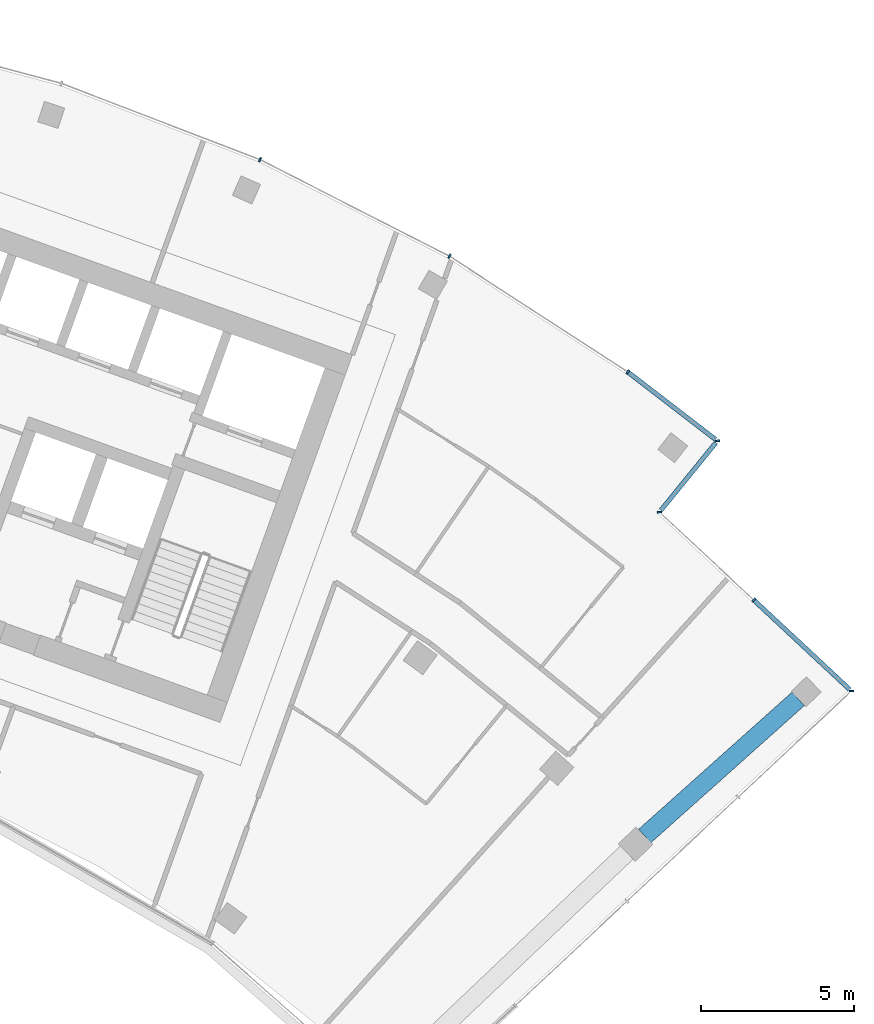
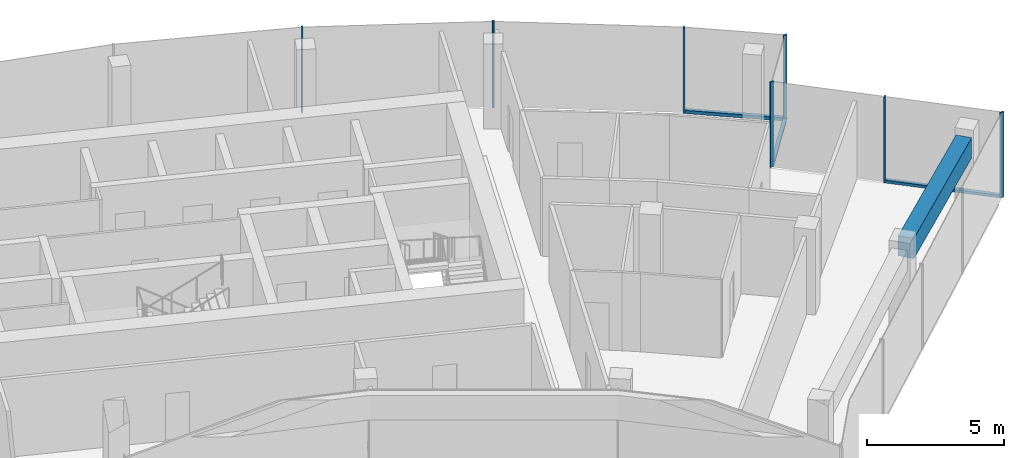
# One storey, part 9 of 18: 10 members, 1 beam, 3 elements without a shape of their own.
"""IFC4 building model written with IfcOpenShell, lengths in metres."""

from ifc_helpers import new_model, si_unit, direction, frame, origin, origin_2d, place, context, subcontext, project, spatial, rectangle, extrude, material, layer, layer_set, material_profile, profile_set, type_object, element, aggregate, save


model = new_model("IFC4")

# Units and contexts
model_context = context("Model", 3, precision=1e-05, world=origin(), true_north=direction((0.0, 1.0)))
body_context = subcontext(model_context, "Body", "Model", "MODEL_VIEW")
ifc_project = project(units=[si_unit("LENGTHUNIT", "METRE"), si_unit("AREAUNIT", "SQUARE_METRE"), si_unit("VOLUMEUNIT", "CUBIC_METRE"), si_unit("PLANEANGLEUNIT", "RADIAN"), si_unit("MASSUNIT", "GRAM", prefix="KILO")], contexts=[model_context])

# Site, building, storey
site_placement = place(None, origin())
site = spatial("IfcSite", under=ifc_project, at=site_placement, CompositionType="ELEMENT")
building_placement = place(site_placement, origin())
building = spatial("IfcBuilding", under=site, at=building_placement, Name="Stone Belt Terrace Tower", CompositionType="ELEMENT")
storey_placement = place(building_placement, frame((0.0, 0.0, 284.60009765625)))
storey = spatial("IfcBuildingStorey", under=building, at=storey_placement, Name="L69", CompositionType="ELEMENT", Elevation=284.60009765625)

# Curtain wall, members
ifc_material_1 = material(Name="Aluminium 6063-T6 anodised frame", Category="aluminium")
ifc_layer_1 = layer(ifc_material_1, 0.14990234375)
ifc_layer_set_1 = layer_set([ifc_layer_1], Name="CW-A unitised convex-face curtain wall")
curtain_wall_type_1 = type_object("IfcCurtainWallType", Name="CW-A unitised convex-face curtain wall", PredefinedType="NOTDEFINED", material=ifc_layer_set_1)
curtain_wall_1_placement = place(storey_placement, origin())
curtain_wall_1 = element("IfcCurtainWall", 1, at=curtain_wall_1_placement, inside=storey, type_object=curtain_wall_type_1, Name="CW-A convex face L69", PredefinedType="NOTDEFINED")
ifc_material_profile_1 = material_profile(ifc_material_1, rectangle(XDim=0.14990234375, YDim=0.06005859375, at=origin_2d()), Name="Aluminium 6063-T6 60x150")
ifc_profile_set_1 = profile_set([ifc_material_profile_1], Name="Aluminium 6063-T6 anodised frame")
member_type_1 = type_object("IfcMemberType", Name="CW-A mullion 60 x 150", PredefinedType="MULLION", material=ifc_profile_set_1)
member_1_placement = place(storey_placement, frame((42.068359375, 51.60205078125, 0.0), z_axis=(0.0, 0.0, 1.0), x_axis=(-0.993258004644, -0.115924700604, 0.0)))
member_1 = element("IfcMember", 2, at=member_1_placement, type_object=member_type_1, Name="CW-A mullion 1", PredefinedType="MULLION", context=body_context, shape_type="SweptSolid", body=[
    extrude(rectangle(XDim=0.14990234375, YDim=0.06005859375, at=origin_2d()), origin(), (0.0, 0.0, 1.0), 3.7998046875),
])
member_2_placement = place(storey_placement, frame((39.131103515625, 53.86083984375, 0.0), z_axis=(0.0, 0.0, 1.0), x_axis=(-0.577587125789, -0.816329046477, 0.0)))
member_2 = element("IfcMember", 3, at=member_2_placement, type_object=member_type_1, Name="CW-A mullion 2", PredefinedType="MULLION", context=body_context, shape_type="SweptSolid", body=[
    extrude(rectangle(XDim=0.14990234375, YDim=0.06005859375, at=origin_2d()), origin(), (0.0, 0.0, 1.0), 3.7998046875),
])
member_3_placement = place(storey_placement, frame((33.28759765625, 57.65576171875, 0.0), z_axis=(0.0, 0.0, 1.0), x_axis=(-0.5, -0.866025403784, 0.0)))
member_3 = element("IfcMember", 4, at=member_3_placement, type_object=member_type_1, Name="CW-A mullion 3", PredefinedType="MULLION", context=body_context, shape_type="SweptSolid", body=[
    extrude(rectangle(XDim=0.14990234375, YDim=0.06005859375, at=origin_2d()), origin(), (0.0, 0.0, 1.0), 3.7998046875),
])
member_4_placement = place(storey_placement, frame((27.07861328125, 60.8193359375, 0.0), z_axis=(0.0, 0.0, 1.0), x_axis=(-0.406736643076, -0.913545457643, 0.0)))
member_4 = element("IfcMember", 5, at=member_4_placement, type_object=member_type_1, Name="CW-A mullion 4", PredefinedType="MULLION", context=body_context, shape_type="SweptSolid", body=[
    extrude(rectangle(XDim=0.14990234375, YDim=0.06005859375, at=origin_2d()), origin(), (0.0, 0.0, 1.0), 3.7998046875),
])
ifc_material_profile_2 = material_profile(ifc_material_1, rectangle(XDim=0.14990234375, YDim=0.139892578125, at=origin_2d()), Name="Aluminium 6063-T6 150x140")
ifc_profile_set_2 = profile_set([ifc_material_profile_2], Name="Aluminium 6063-T6 anodised frame")
member_type_2 = type_object("IfcMemberType", Name="CW-A transom 140 x 150", PredefinedType="USERDEFINED", material=ifc_profile_set_2)
member_5_placement = place(storey_placement, frame((42.00927734375, 51.6474609375, 0.06982421875), z_axis=(-0.79269461464, 0.609618936648, 0.0), x_axis=(-0.609618936648, -0.79269461464, 0.0)))
member_5 = element("IfcMember", 6, at=member_5_placement, type_object=member_type_2, Name="CW-A transom 1.1", ObjectType="TRANSOM", PredefinedType="USERDEFINED", context=body_context, shape_type="SweptSolid", body=[
    extrude(rectangle(XDim=0.14990234375, YDim=0.139892578125, at=origin_2d()), origin(), (0.0, 0.0, 1.0), 3.597900390625),
])
aggregate(curtain_wall_1, [member_1, member_2, member_3, member_4, member_5])

ifc_layer_2 = layer(ifc_material_1, 0.14990234375)
ifc_layer_set_2 = layer_set([ifc_layer_2], Name="CW-C stick curtain wall, horn ends and notches")
curtain_wall_type_2 = type_object("IfcCurtainWallType", Name="CW-C stick curtain wall, horn ends and notches", PredefinedType="NOTDEFINED", material=ifc_layer_set_2)
curtain_wall_2_placement = place(storey_placement, origin())
curtain_wall_2 = element("IfcCurtainWall", 7, at=curtain_wall_2_placement, inside=storey, type_object=curtain_wall_type_2, Name="CW-C notch face L69", PredefinedType="NOTDEFINED")
ifc_material_profile_3 = material_profile(ifc_material_1, rectangle(XDim=0.14990234375, YDim=0.06005859375, at=origin_2d()), Name="Aluminium 6063-T6 60x150")
ifc_profile_set_3 = profile_set([ifc_material_profile_3], Name="Aluminium 6063-T6 anodised frame")
member_type_3 = type_object("IfcMemberType", Name="CW-C mullion 60 x 150", PredefinedType="MULLION", material=ifc_profile_set_3)
member_6_placement = place(storey_placement, frame((46.458740234375, 43.405517578125, 0.0), z_axis=(0.0, 0.0, 1.0), x_axis=(-0.999999447771, -0.00105093149, 0.0)))
member_6 = element("IfcMember", 8, at=member_6_placement, type_object=member_type_3, Name="CW-C mullion 1", PredefinedType="MULLION", context=body_context, shape_type="SweptSolid", body=[
    extrude(rectangle(XDim=0.14990234375, YDim=0.06005859375, at=origin_2d()), origin(), (0.0, 0.0, 1.0), 3.7998046875),
])
member_7_placement = place(storey_placement, frame((43.260009765625, 46.388671875, 0.0), z_axis=(0.0, 0.0, 1.0), x_axis=(-0.682013767261, -0.731339333871, 0.0)))
member_7 = element("IfcMember", 9, at=member_7_placement, type_object=member_type_3, Name="CW-C mullion 2", PredefinedType="MULLION", context=body_context, shape_type="SweptSolid", body=[
    extrude(rectangle(XDim=0.14990234375, YDim=0.06005859375, at=origin_2d()), origin(), (0.0, 0.0, 1.0), 3.7998046875),
])

# Curtain wall, member
curtain_wall_3_placement = place(storey_placement, origin())
curtain_wall_3 = element("IfcCurtainWall", 10, at=curtain_wall_3_placement, inside=storey, type_object=curtain_wall_type_2, Name="CW-C notch face L69", PredefinedType="NOTDEFINED")
member_8_placement = place(storey_placement, frame((40.1708984375, 49.269287109375, 0.0), z_axis=(0.0, 0.0, 1.0), x_axis=(-0.997639702696, -0.068666029474, 0.0)))
member_8 = element("IfcMember", 11, at=member_8_placement, type_object=member_type_3, Name="CW-C mullion 1", PredefinedType="MULLION", context=body_context, shape_type="SweptSolid", body=[
    extrude(rectangle(XDim=0.14990234375, YDim=0.06005859375, at=origin_2d()), origin(), (0.0, 0.0, 1.0), 3.7998046875),
])

# Member
ifc_material_profile_4 = material_profile(ifc_material_1, rectangle(XDim=0.14990234375, YDim=0.1201171875, at=origin_2d()), Name="Aluminium 6063-T6 150x120")
ifc_profile_set_4 = profile_set([ifc_material_profile_4], Name="Aluminium 6063-T6 anodised frame")
member_type_4 = type_object("IfcMemberType", Name="CW-C transom 120 x 150", PredefinedType="USERDEFINED", material=ifc_profile_set_4)
member_9_placement = place(storey_placement, frame((46.40380859375, 43.456787109375, 0.059814453125), z_axis=(-0.731353784958, 0.681998270693, 0.0), x_axis=(-0.681998270693, -0.731353784958, 0.0)))
member_9 = element("IfcMember", 12, at=member_9_placement, type_object=member_type_4, Name="CW-C transom 1.1", ObjectType="TRANSOM", PredefinedType="USERDEFINED", context=body_context, shape_type="SweptSolid", body=[
    extrude(rectangle(XDim=0.14990234375, YDim=0.1201171875, at=origin_2d()), origin(), (0.0, 0.0, 1.0), 4.268798828125),
])

aggregate(curtain_wall_2, [member_6, member_7, member_9])

member_10_placement = place(storey_placement, frame((40.217041015625, 49.325927734375, 0.059814453125), z_axis=(0.631026504781, 0.775761271439, 0.0), x_axis=(-0.775761271439, 0.631026504781, 0.0)))
member_10 = element("IfcMember", 13, at=member_10_placement, type_object=member_type_4, Name="CW-C transom 1.1", ObjectType="TRANSOM", PredefinedType="USERDEFINED", context=body_context, shape_type="SweptSolid", body=[
    extrude(rectangle(XDim=0.14990234375, YDim=0.1201171875, at=origin_2d()), origin(), (0.0, 0.0, 1.0), 2.859130859375),
])

aggregate(curtain_wall_3, [member_8, member_10])

# Beam
ifc_material_2 = material(Name="Concrete B60", Category="concrete")
ifc_material_profile_5 = material_profile(ifc_material_2, rectangle(XDim=0.60009765625, YDim=0.89990234375, at=origin_2d()), Name="RC 600x900")
ifc_profile_set_5 = profile_set([ifc_material_profile_5], Name="Concrete B60")
beam_type = type_object("IfcBeamType", Name="Edge beam RC 600x900 B60", PredefinedType="SPANDREL", material=ifc_profile_set_5)
beam_placement = place(storey_placement, frame((39.68701171875, 38.65380859375, 3.02978515625), z_axis=(0.745651125692, 0.666336550666, 0.0), x_axis=(-0.666336550666, 0.745651125692, 0.0)))
element("IfcBeam", 14, at=beam_placement, inside=storey, type_object=beam_type, Name="Edge beam L69 B Q to R", PredefinedType="SPANDREL", context=body_context, shape_type="SweptSolid", body=[
    extrude(rectangle(XDim=0.60009765625, YDim=0.89990234375, at=origin_2d()), origin(), (0.0, 0.0, 1.0), 6.744140625),
])

save(model, "model.ifc")
